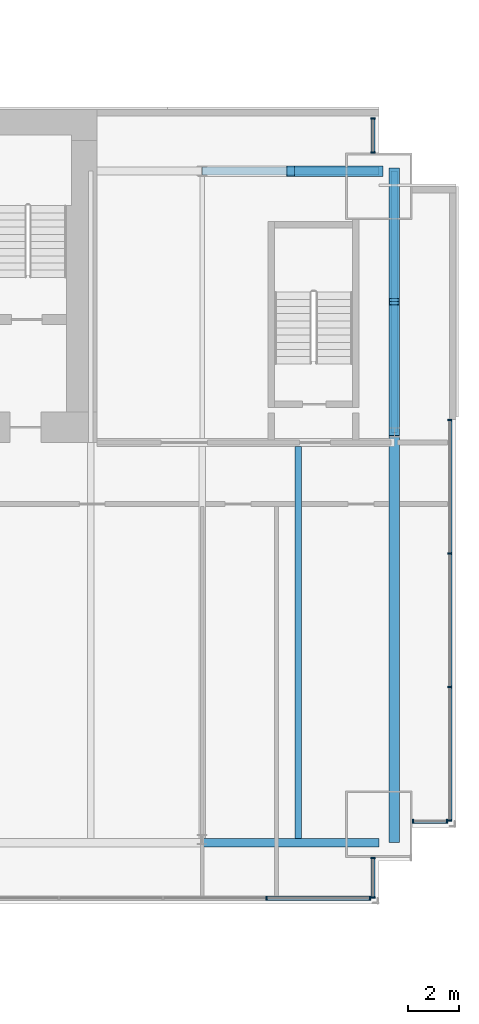
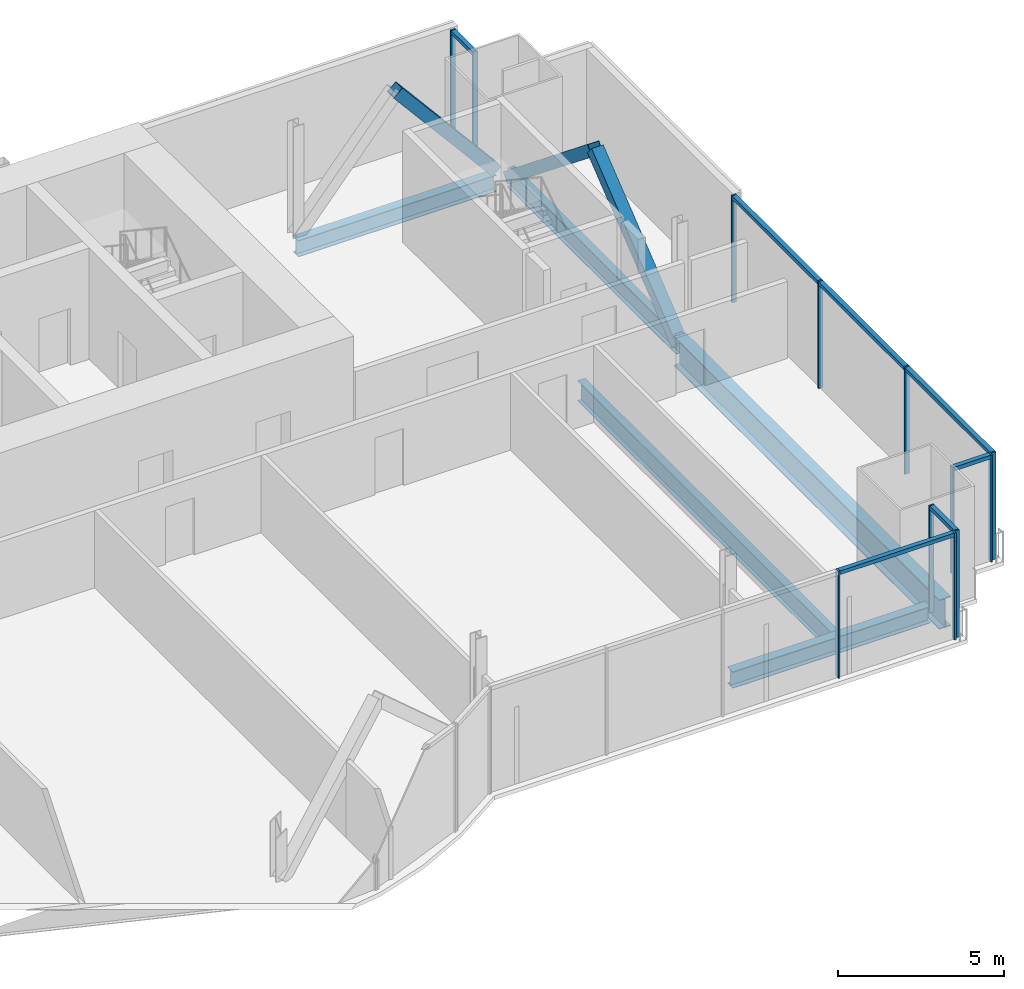
# One storey, part 12 of 20: 22 members, 5 beams, 5 elements without a shape of their own.
"""IFC4 building model written with IfcOpenShell, lengths in metres."""

from ifc_helpers import new_model, si_unit, direction, frame, origin, origin_2d, place, context, subcontext, project, spatial, rectangle, hollow_rectangle, i_section, extrude, material, material_profile, profile_set, type_object, element, aggregate, save


model = new_model("IFC4")

# Units and contexts
model_context = context("Model", 3, precision=1e-05, world=origin(), true_north=direction((0.0, 1.0)))
body_context = subcontext(model_context, "Body", "Model", "MODEL_VIEW")
ifc_project = project(units=[si_unit("LENGTHUNIT", "METRE"), si_unit("AREAUNIT", "SQUARE_METRE"), si_unit("VOLUMEUNIT", "CUBIC_METRE"), si_unit("PLANEANGLEUNIT", "RADIAN"), si_unit("MASSUNIT", "GRAM", prefix="KILO")], contexts=[model_context])

# Site, building, storey
site_placement = place(None, origin())
site = spatial("IfcSite", under=ifc_project, at=site_placement, CompositionType="ELEMENT")
building_placement = place(site_placement, origin())
building = spatial("IfcBuilding", under=site, at=building_placement, Name="Bicima Exchange Tower", CompositionType="ELEMENT")
storey_placement = place(building_placement, frame((0.0, 0.0, 227.800048828125)))
storey = spatial("IfcBuildingStorey", under=building, at=storey_placement, Name="L51", CompositionType="ELEMENT", Elevation=227.800048828125)

# Curtain wall, members
ifc_material_1 = material(Name="Anodised bronze aluminium", Category="aluminium")
curtain_wall_type_1 = type_object("IfcCurtainWallType", Name="End face glass wall", PredefinedType="NOTDEFINED", material=ifc_material_1)
curtain_wall_1_placement = place(storey_placement, origin())
curtain_wall_1 = element("IfcCurtainWall", 1, at=curtain_wall_1_placement, inside=storey, type_object=curtain_wall_type_1, Name="End face glass wall L51 run 19", PredefinedType="NOTDEFINED")
ifc_material_profile_1 = material_profile(ifc_material_1, rectangle(XDim=0.159912109375, YDim=0.06005859375, at=origin_2d()))
ifc_profile_set_1 = profile_set([ifc_material_profile_1], Name="Anodised bronze aluminium")
member_type_1 = type_object("IfcMemberType", Name="End face glass wall mullion 60 x 160", PredefinedType="MULLION", material=ifc_profile_set_1)
member_1_placement = place(storey_placement, frame((35.77001953125, -27.760009765625, 0.0), z_axis=(0.0, 0.0, 1.0), x_axis=(-1.0, 0.0, 0.0)))
member_1 = element("IfcMember", 2, at=member_1_placement, type_object=member_type_1, Name="End face glass wall mullion 1", PredefinedType="MULLION", context=body_context, shape_type="SweptSolid", body=[
    extrude(rectangle(XDim=0.159912109375, YDim=0.06005859375, at=origin_2d()), origin(), (0.0, 0.0, 1.0), 3.949951171875),
])
member_2_placement = place(storey_placement, frame((35.77001953125, -22.543212890625, 0.0), z_axis=(0.0, 0.0, 1.0), x_axis=(-1.0, 0.0, 0.0)))
member_2 = element("IfcMember", 3, at=member_2_placement, type_object=member_type_1, Name="End face glass wall mullion 2", PredefinedType="MULLION", context=body_context, shape_type="SweptSolid", body=[
    extrude(rectangle(XDim=0.159912109375, YDim=0.06005859375, at=origin_2d()), origin(), (0.0, 0.0, 1.0), 3.949951171875),
])
member_3_placement = place(storey_placement, frame((35.77001953125, -17.32666015625, 0.0), z_axis=(0.0, 0.0, 1.0), x_axis=(-1.0, 0.0, 0.0)))
member_3 = element("IfcMember", 4, at=member_3_placement, type_object=member_type_1, Name="End face glass wall mullion 3", PredefinedType="MULLION", context=body_context, shape_type="SweptSolid", body=[
    extrude(rectangle(XDim=0.159912109375, YDim=0.06005859375, at=origin_2d()), origin(), (0.0, 0.0, 1.0), 3.949951171875),
])
member_4_placement = place(storey_placement, frame((35.77001953125, -12.110107421875, 0.0), z_axis=(0.0, 0.0, 1.0), x_axis=(-1.0, 0.0, 0.0)))
member_4 = element("IfcMember", 5, at=member_4_placement, type_object=member_type_1, Name="End face glass wall mullion 4", PredefinedType="MULLION", context=body_context, shape_type="SweptSolid", body=[
    extrude(rectangle(XDim=0.159912109375, YDim=0.06005859375, at=origin_2d()), origin(), (0.0, 0.0, 1.0), 3.949951171875),
])
ifc_material_profile_2 = material_profile(ifc_material_1, rectangle(XDim=0.159912109375, YDim=0.139892578125, at=origin_2d()))
ifc_profile_set_2 = profile_set([ifc_material_profile_2], Name="Anodised bronze aluminium")
member_type_2 = type_object("IfcMemberType", Name="End face glass wall transom 140 x 160", PredefinedType="USERDEFINED", material=ifc_profile_set_2)
member_5_placement = place(storey_placement, frame((35.77001953125, -27.72998046875, 3.8798828125), z_axis=(0.0, 1.0, 0.0), x_axis=(-1.0, 0.0, 0.0)))
member_5 = element("IfcMember", 6, at=member_5_placement, type_object=member_type_2, Name="End face glass wall transom 1.1", ObjectType="TRANSOM", PredefinedType="USERDEFINED", context=body_context, shape_type="SweptSolid", body=[
    extrude(rectangle(XDim=0.159912109375, YDim=0.139892578125, at=origin_2d()), origin(), (0.0, 0.0, 1.0), 5.15673828125),
])
member_6_placement = place(storey_placement, frame((35.77001953125, -22.51318359375, 3.8798828125), z_axis=(0.0, 1.0, 0.0), x_axis=(-1.0, 0.0, 0.0)))
member_6 = element("IfcMember", 7, at=member_6_placement, type_object=member_type_2, Name="End face glass wall transom 2.1", ObjectType="TRANSOM", PredefinedType="USERDEFINED", context=body_context, shape_type="SweptSolid", body=[
    extrude(rectangle(XDim=0.159912109375, YDim=0.139892578125, at=origin_2d()), origin(), (0.0, 0.0, 1.0), 5.156494140625),
])
member_7_placement = place(storey_placement, frame((35.77001953125, -17.296630859375, 3.8798828125), z_axis=(0.0, 1.0, 0.0), x_axis=(-1.0, 0.0, 0.0)))
member_7 = element("IfcMember", 8, at=member_7_placement, type_object=member_type_2, Name="End face glass wall transom 3.1", ObjectType="TRANSOM", PredefinedType="USERDEFINED", context=body_context, shape_type="SweptSolid", body=[
    extrude(rectangle(XDim=0.159912109375, YDim=0.139892578125, at=origin_2d()), origin(), (0.0, 0.0, 1.0), 5.15673828125),
])
aggregate(curtain_wall_1, [member_1, member_2, member_3, member_4, member_5, member_6, member_7])

# Beams
ifc_material_2 = material(Name="Steel ASTM A992 Gr 50", Category="steel")
ifc_material_profile_3 = material_profile(ifc_material_2, i_section(OverallWidth=0.256591796875, OverallDepth=0.693359375, WebThickness=0.014404296875, FlangeThickness=0.023681640625, at=origin_2d()))
ifc_profile_set_3 = profile_set([ifc_material_profile_3], Name="Steel ASTM A992 Gr 50")
beam_type_1 = type_object("IfcBeamType", Name="End girder W27x114", PredefinedType="BEAM", material=ifc_profile_set_3)
beam_1_placement = place(storey_placement, frame((33.60009765625, -2.39990234375, -0.496826171875), z_axis=(0.0, -1.0, 0.0), x_axis=(1.0, 0.0, 0.0)))
element("IfcBeam", 9, at=beam_1_placement, inside=storey, type_object=beam_type_1, Name="End girder", PredefinedType="BEAM", context=body_context, shape_type="SweptSolid", body=[
    extrude(i_section(OverallWidth=0.256591796875, OverallDepth=0.693359375, WebThickness=0.014404296875, FlangeThickness=0.023681640625, at=origin_2d()), origin(), (0.0, 0.0, 1.0), 10.2001953125),
])
ifc_material_profile_4 = material_profile(ifc_material_2, i_section(OverallWidth=0.4013671875, OverallDepth=1.089599609375, WebThickness=0.01806640625, FlangeThickness=0.031005859375, at=origin_2d()))
ifc_profile_set_4 = profile_set([ifc_material_profile_4], Name="Steel ASTM A992 Gr 50")
beam_type_2 = type_object("IfcBeamType", Name="End girder W44x230", PredefinedType="BEAM", material=ifc_profile_set_4)
beam_2_placement = place(storey_placement, frame((33.60009765625, -12.60009765625, -0.69482421875), z_axis=(0.0, -1.0, 0.0), x_axis=(1.0, 0.0, 0.0)))
element("IfcBeam", 10, at=beam_2_placement, inside=storey, type_object=beam_type_2, Name="End girder", PredefinedType="BEAM", context=body_context, shape_type="SweptSolid", body=[
    extrude(i_section(OverallWidth=0.4013671875, OverallDepth=1.089599609375, WebThickness=0.01806640625, FlangeThickness=0.031005859375, at=origin_2d()), origin(), (0.0, 0.0, 1.0), 16.02001953125),
])
ifc_material_profile_5 = material_profile(ifc_material_2, i_section(OverallWidth=0.2666015625, OverallDepth=0.75439453125, WebThickness=0.01318359375, FlangeThickness=0.01708984375, at=origin_2d()))
ifc_profile_set_5 = profile_set([ifc_material_profile_5], Name="Steel ASTM A992 Gr 50")
beam_type_3 = type_object("IfcBeamType", Name="Floor beam W30x99", PredefinedType="JOIST", material=ifc_profile_set_5)
beam_3_placement = place(storey_placement, frame((29.85009765625, -13.15234375, -0.52734375), z_axis=(0.0, -1.0, 0.0), x_axis=(1.0, 0.0, 0.0)))
element("IfcBeam", 11, at=beam_3_placement, inside=storey, type_object=beam_type_3, Name="Floor beam", PredefinedType="JOIST", context=body_context, shape_type="SweptSolid", body=[
    extrude(i_section(OverallWidth=0.2666015625, OverallDepth=0.75439453125, WebThickness=0.01318359375, FlangeThickness=0.01708984375, at=origin_2d()), origin(), (0.0, 0.0, 1.0), 15.30517578125),
])
ifc_material_profile_6 = material_profile(ifc_material_2, i_section(OverallWidth=0.3251953125, OverallDepth=0.612060546875, WebThickness=0.0126953125, FlangeThickness=0.01904296875, at=origin_2d()))
ifc_profile_set_6 = profile_set([ifc_material_profile_6], Name="Steel ASTM A992 Gr 50")
beam_type_4 = type_object("IfcBeamType", Name="Front girder W24x104", PredefinedType="BEAM", material=ifc_profile_set_6)
beam_4_placement = place(storey_placement, frame((26.10009765625, -28.6201171875, -0.4560546875), z_axis=(1.0, 0.0, 0.0), x_axis=(0.0, 1.0, 0.0)))
element("IfcBeam", 12, at=beam_4_placement, inside=storey, type_object=beam_type_4, Name="Front girder", PredefinedType="BEAM", context=body_context, shape_type="SweptSolid", body=[
    extrude(i_section(OverallWidth=0.3251953125, OverallDepth=0.612060546875, WebThickness=0.0126953125, FlangeThickness=0.01904296875, at=origin_2d()), origin(), (0.0, 0.0, 1.0), 6.89990234375),
])

# Curtain wall, members
curtain_wall_type_2 = type_object("IfcCurtainWallType", Name="Front glass wall", PredefinedType="NOTDEFINED", material=ifc_material_1)
curtain_wall_2_placement = place(storey_placement, origin())
curtain_wall_2 = element("IfcCurtainWall", 13, at=curtain_wall_2_placement, inside=storey, type_object=curtain_wall_type_2, Name="Front glass wall L51 run 16", PredefinedType="NOTDEFINED")
member_type_3 = type_object("IfcMemberType", Name="Front glass wall mullion 60 x 160", PredefinedType="MULLION", material=ifc_profile_set_1)
member_8_placement = place(storey_placement, frame((28.610595703125, -30.7900390625, 0.0), z_axis=(0.0, 0.0, 1.0), x_axis=(0.0, 1.0, 0.0)))
member_8 = element("IfcMember", 14, at=member_8_placement, type_object=member_type_3, Name="Front glass wall mullion 4", PredefinedType="MULLION", context=body_context, shape_type="SweptSolid", body=[
    extrude(rectangle(XDim=0.159912109375, YDim=0.06005859375, at=origin_2d()), origin(), (0.0, 0.0, 1.0), 3.949951171875),
])
member_9_placement = place(storey_placement, frame((32.659912109375, -30.7900390625, 0.0), z_axis=(0.0, 0.0, 1.0), x_axis=(0.0, 1.0, 0.0)))
member_9 = element("IfcMember", 15, at=member_9_placement, type_object=member_type_3, Name="Front glass wall mullion 5", PredefinedType="MULLION", context=body_context, shape_type="SweptSolid", body=[
    extrude(rectangle(XDim=0.159912109375, YDim=0.06005859375, at=origin_2d()), origin(), (0.0, 0.0, 1.0), 3.949951171875),
])

curtain_wall_3_placement = place(storey_placement, origin())
curtain_wall_3 = element("IfcCurtainWall", 16, at=curtain_wall_3_placement, inside=storey, type_object=curtain_wall_type_2, Name="Front glass wall L51 run 17", PredefinedType="NOTDEFINED")
member_10_placement = place(storey_placement, frame((32.77001953125, -30.760009765625, 0.0), z_axis=(0.0, 0.0, 1.0), x_axis=(-1.0, 0.0, 0.0)))
member_10 = element("IfcMember", 17, at=member_10_placement, type_object=member_type_3, Name="Front glass wall mullion 1", PredefinedType="MULLION", context=body_context, shape_type="SweptSolid", body=[
    extrude(rectangle(XDim=0.159912109375, YDim=0.06005859375, at=origin_2d()), origin(), (0.0, 0.0, 1.0), 3.949951171875),
])
member_11_placement = place(storey_placement, frame((32.77001953125, -29.22802734375, 0.0), z_axis=(0.0, 0.0, 1.0), x_axis=(-1.0, 0.0, 0.0)))
member_11 = element("IfcMember", 18, at=member_11_placement, type_object=member_type_3, Name="Front glass wall mullion 2", PredefinedType="MULLION", context=body_context, shape_type="SweptSolid", body=[
    extrude(rectangle(XDim=0.159912109375, YDim=0.06005859375, at=origin_2d()), origin(), (0.0, 0.0, 1.0), 3.949951171875),
])

curtain_wall_4_placement = place(storey_placement, origin())
curtain_wall_4 = element("IfcCurtainWall", 19, at=curtain_wall_4_placement, inside=storey, type_object=curtain_wall_type_2, Name="Front glass wall L51 run 18", PredefinedType="NOTDEFINED")
member_12_placement = place(storey_placement, frame((34.330078125, -27.7900390625, 0.0), z_axis=(0.0, 0.0, 1.0), x_axis=(0.0, 1.0, 0.0)))
member_12 = element("IfcMember", 20, at=member_12_placement, type_object=member_type_3, Name="Front glass wall mullion 1", PredefinedType="MULLION", context=body_context, shape_type="SweptSolid", body=[
    extrude(rectangle(XDim=0.159912109375, YDim=0.06005859375, at=origin_2d()), origin(), (0.0, 0.0, 1.0), 3.949951171875),
])
member_13_placement = place(storey_placement, frame((35.659912109375, -27.7900390625, 0.0), z_axis=(0.0, 0.0, 1.0), x_axis=(0.0, 1.0, 0.0)))
member_13 = element("IfcMember", 21, at=member_13_placement, type_object=member_type_3, Name="Front glass wall mullion 2", PredefinedType="MULLION", context=body_context, shape_type="SweptSolid", body=[
    extrude(rectangle(XDim=0.159912109375, YDim=0.06005859375, at=origin_2d()), origin(), (0.0, 0.0, 1.0), 3.949951171875),
])

curtain_wall_5_placement = place(storey_placement, origin())
curtain_wall_5 = element("IfcCurtainWall", 22, at=curtain_wall_5_placement, inside=storey, type_object=curtain_wall_type_2, Name="Front glass wall L51 run 20", PredefinedType="NOTDEFINED")
member_14_placement = place(storey_placement, frame((32.77001953125, -1.669921875, 0.0), z_axis=(0.0, 0.0, 1.0), x_axis=(-1.0, 0.0, 0.0)))
member_14 = element("IfcMember", 23, at=member_14_placement, type_object=member_type_3, Name="Front glass wall mullion 1", PredefinedType="MULLION", context=body_context, shape_type="SweptSolid", body=[
    extrude(rectangle(XDim=0.159912109375, YDim=0.06005859375, at=origin_2d()), origin(), (0.0, 0.0, 1.0), 3.949951171875),
])
member_15_placement = place(storey_placement, frame((32.77001953125, -0.340087890625, 0.0), z_axis=(0.0, 0.0, 1.0), x_axis=(-1.0, 0.0, 0.0)))
member_15 = element("IfcMember", 24, at=member_15_placement, type_object=member_type_3, Name="Front glass wall mullion 2", PredefinedType="MULLION", context=body_context, shape_type="SweptSolid", body=[
    extrude(rectangle(XDim=0.159912109375, YDim=0.06005859375, at=origin_2d()), origin(), (0.0, 0.0, 1.0), 3.949951171875),
])

# Member
member_type_4 = type_object("IfcMemberType", Name="Front glass wall transom 140 x 160", PredefinedType="USERDEFINED", material=ifc_profile_set_2)
member_16_placement = place(storey_placement, frame((28.640380859375, -30.7900390625, 3.8798828125), z_axis=(1.0, 0.0, 0.0), x_axis=(0.0, 1.0, 0.0)))
member_16 = element("IfcMember", 25, at=member_16_placement, type_object=member_type_4, Name="Front glass wall transom 4.1", ObjectType="TRANSOM", PredefinedType="USERDEFINED", context=body_context, shape_type="SweptSolid", body=[
    extrude(rectangle(XDim=0.159912109375, YDim=0.139892578125, at=origin_2d()), origin(), (0.0, 0.0, 1.0), 3.989501953125),
])

aggregate(curtain_wall_2, [member_8, member_9, member_16])

member_17_placement = place(storey_placement, frame((32.77001953125, -30.72998046875, 3.8798828125), z_axis=(0.0, 1.0, 0.0), x_axis=(-1.0, 0.0, 0.0)))
member_17 = element("IfcMember", 26, at=member_17_placement, type_object=member_type_4, Name="Front glass wall transom 1.1", ObjectType="TRANSOM", PredefinedType="USERDEFINED", context=body_context, shape_type="SweptSolid", body=[
    extrude(rectangle(XDim=0.159912109375, YDim=0.139892578125, at=origin_2d()), origin(), (0.0, 0.0, 1.0), 1.471923828125),
])

aggregate(curtain_wall_3, [member_10, member_11, member_17])

member_18_placement = place(storey_placement, frame((34.360107421875, -27.7900390625, 3.8798828125), z_axis=(1.0, 0.0, 0.0), x_axis=(0.0, 1.0, 0.0)))
member_18 = element("IfcMember", 27, at=member_18_placement, type_object=member_type_4, Name="Front glass wall transom 1.1", ObjectType="TRANSOM", PredefinedType="USERDEFINED", context=body_context, shape_type="SweptSolid", body=[
    extrude(rectangle(XDim=0.159912109375, YDim=0.139892578125, at=origin_2d()), origin(), (0.0, 0.0, 1.0), 1.269775390625),
])

aggregate(curtain_wall_4, [member_12, member_13, member_18])

member_19_placement = place(storey_placement, frame((32.77001953125, -1.639892578125, 3.8798828125), z_axis=(0.0, 1.0, 0.0), x_axis=(-1.0, 0.0, 0.0)))
member_19 = element("IfcMember", 28, at=member_19_placement, type_object=member_type_4, Name="Front glass wall transom 1.1", ObjectType="TRANSOM", PredefinedType="USERDEFINED", context=body_context, shape_type="SweptSolid", body=[
    extrude(rectangle(XDim=0.159912109375, YDim=0.139892578125, at=origin_2d()), origin(), (0.0, 0.0, 1.0), 1.269775390625),
])

aggregate(curtain_wall_5, [member_14, member_15, member_19])

# Members
ifc_material_3 = material(Name="Steel ASTM A572 Gr 50", Category="steel")
ifc_material_profile_7 = material_profile(ifc_material_3, hollow_rectangle(XDim=0.406494140625, YDim=0.406494140625, WallThickness=0.0146484375, at=origin_2d()))
ifc_profile_set_7 = profile_set([ifc_material_profile_7], Name="Steel ASTM A572 Gr 50")
member_type_5 = type_object("IfcMemberType", Name="Mega brace HSS16x16x5/8", PredefinedType="BRACE", material=ifc_profile_set_7)
member_20_placement = place(storey_placement, frame((33.0, -2.39990234375, 0.0), z_axis=(-0.643856488545, 0.0, 0.765146275008), x_axis=(0.0, -1.0, 0.0)))
element("IfcMember", 29, at=member_20_placement, inside=storey, type_object=member_type_5, Name="Mega brace rear", PredefinedType="BRACE", context=body_context, shape_type="SweptSolid", body=[
    extrude(hollow_rectangle(XDim=0.406494140625, YDim=0.406494140625, WallThickness=0.0146484375, at=origin_2d()), origin(), (0.0, 0.0, 1.0), 5.358154296875),
])
for number, where, z_axis, x_axis, name in (
    (30, (33.60009765625, -2.39990234375, -0.496826171875), (0.0, -0.779374241895, 0.626558689247), (1.0, 0.0, 0.0), "Mega brace east end"),
    (31, (33.60009765625, -12.60009765625, -0.496826171875), (0.0, 0.779374241895, 0.626558689247), (-1.0, 0.0, 0.0), "Mega brace east end"),
):
    element("IfcMember", number, at=place(storey_placement, frame(where, z_axis=z_axis, x_axis=x_axis)), inside=storey, type_object=member_type_5, Name=name, PredefinedType="BRACE", context=body_context, shape_type="SweptSolid", body=[
        extrude(hollow_rectangle(XDim=0.406494140625, YDim=0.406494140625, WallThickness=0.0146484375, at=origin_2d()), origin(), (0.0, 0.0, 1.0), 6.5439453125),
    ])

# Beam
beam_type_5 = type_object("IfcBeamType", Name="Rear girder W24x104", PredefinedType="BEAM", material=ifc_profile_set_6)
beam_5_placement = place(storey_placement, frame((26.10009765625, -2.39990234375, -0.4560546875), z_axis=(1.0, 0.0, 0.0), x_axis=(0.0, 1.0, 0.0)))
element("IfcBeam", 32, at=beam_5_placement, inside=storey, type_object=beam_type_5, Name="Rear girder", PredefinedType="BEAM", context=body_context, shape_type="SweptSolid", body=[
    extrude(i_section(OverallWidth=0.3251953125, OverallDepth=0.612060546875, WebThickness=0.0126953125, FlangeThickness=0.01904296875, at=origin_2d()), origin(), (0.0, 0.0, 1.0), 6.89990234375),
])

save(model, "model.ifc")
